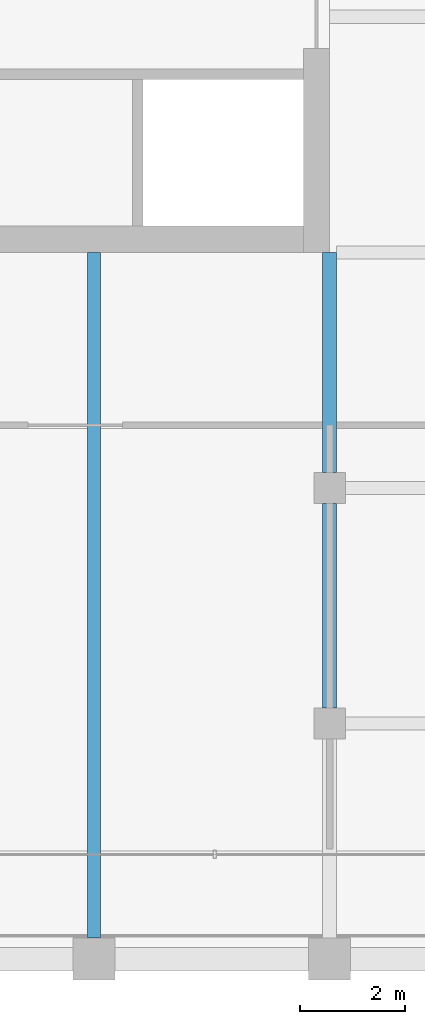
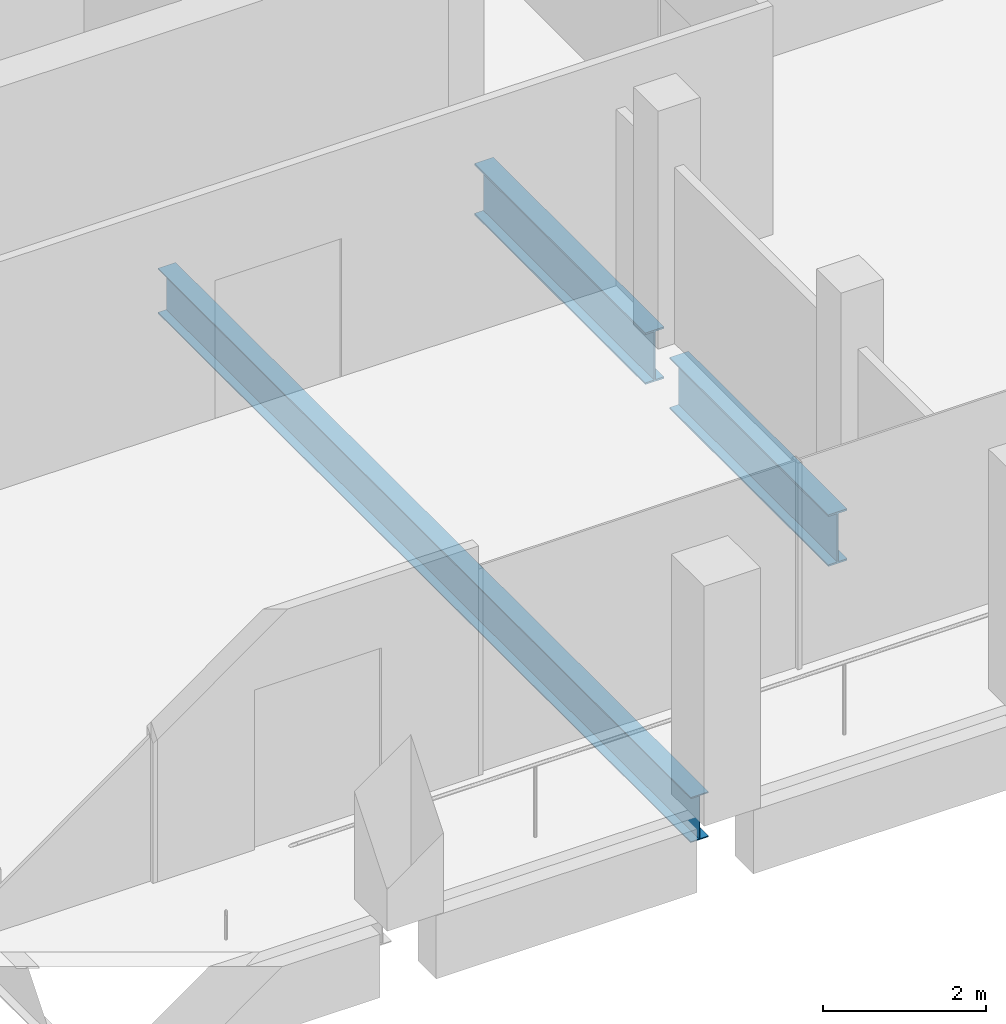
# One storey, part 10 of 30: 3 beams.
"""IFC4 building model written with IfcOpenShell, lengths in metres."""

import ifcopenshell
import ifcopenshell.guid

model = None  # the IFC model being written
_history = None  # IfcOwnerHistory: only IFC2X3 demands one
_inside = {}  # id of a spatial element -> (the spatial element, [elements in it])
_under = {}  # id of a project, library or spatial element -> (it, [spatial elements below it])
_declared = {}  # id of a project -> (the project, [libraries it declares])
_typed = {}  # id of a type object -> (the type object, [elements of that type])
_made_of = {}  # id of a material, layer set ... -> (it, [elements and type objects made of it])


def new_model(schema):
    """Start an empty IFC model of exactly this schema.

    Asked for "IFC4X3", IfcOpenShell would pick the latest addendum, in which some entities
    have other attributes; the version numbers below select the first issue.
    IFC2X3 requires an IfcOwnerHistory on every rooted entity: one is made here for all.
    """
    global model, _history
    if schema == "IFC4X3":
        model = ifcopenshell.file(schema_version=(4, 3, 0, 0))
    else:
        model = ifcopenshell.file(schema=schema)
    _inside.clear()
    _under.clear()
    _declared.clear()
    _typed.clear()
    _made_of.clear()
    _history = None
    if model.schema == "IFC2X3":
        org = make("IfcOrganization", Name="unknown")
        user = make(
            "IfcPersonAndOrganization",
            ThePerson=make("IfcPerson", FamilyName="unknown"),
            TheOrganization=org,
        )
        app = make(
            "IfcApplication",
            ApplicationDeveloper=org,
            Version="unknown",
            ApplicationFullName="unknown",
            ApplicationIdentifier="unknown",
        )
        _history = make(
            "IfcOwnerHistory",
            OwningUser=user,
            OwningApplication=app,
            ChangeAction="ADDED",
            CreationDate=0,
        )
    return model


def make(cls, **values):
    """One entity of the class cls with the attributes given. An attribute that is None is left unset."""
    return model.create_entity(
        cls, **{name: value for name, value in values.items() if value is not None}
    )


def rooted(cls, **values):
    """An entity with a GlobalId (a new one), such as an element, a storey or a relation."""
    return make(cls, GlobalId=ifcopenshell.guid.new(), OwnerHistory=_history, **values)


def si_unit(unit_type, name, prefix=None):
    """IfcSIUnit, for example si_unit("LENGTHUNIT", "METRE", prefix="MILLI")."""
    return make("IfcSIUnit", UnitType=unit_type, Prefix=prefix, Name=name)


def assignment(units):
    """IfcUnitAssignment: the units of a project."""
    return None if units is None else make("IfcUnitAssignment", Units=units)


def point(xyz):
    """IfcCartesianPoint."""
    return None if xyz is None else make("IfcCartesianPoint", Coordinates=xyz)


def direction(xyz):
    """IfcDirection."""
    return None if xyz is None else make("IfcDirection", DirectionRatios=xyz)


def frame(location, z_axis=None, x_axis=None):
    """IfcAxis2Placement3D, a coordinate frame: its origin and axes. An axis left out is left unset."""
    return make(
        "IfcAxis2Placement3D",
        Location=point(location),
        Axis=direction(z_axis),
        RefDirection=direction(x_axis),
    )


def frame_2d(location, x_axis=None):
    """IfcAxis2Placement2D, a coordinate frame in the plane: its origin and x axis."""
    return make(
        "IfcAxis2Placement2D", Location=point(location), RefDirection=direction(x_axis)
    )


def origin():
    """The frame at (0, 0, 0) with its axes left unset."""
    return frame((0.0, 0.0, 0.0))


def origin_2d():
    """The frame at (0, 0) in the plane with its x axis left unset."""
    return frame_2d((0.0, 0.0))


def place(relative_to, where):
    """IfcLocalPlacement: puts the frame where relative to a parent placement (None: the world)."""
    return make(
        "IfcLocalPlacement", PlacementRelTo=relative_to, RelativePlacement=where
    )


def context(
    kind, dimensions, precision=None, world=None, true_north=None, identifier=None
):
    """IfcGeometricRepresentationContext, for example the 3D "Model" context."""
    return make(
        "IfcGeometricRepresentationContext",
        ContextIdentifier=identifier,
        ContextType=kind,
        CoordinateSpaceDimension=dimensions,
        Precision=precision,
        WorldCoordinateSystem=world,
        TrueNorth=true_north,
    )


def subcontext(parent, identifier, kind, view, scale=None):
    """IfcGeometricRepresentationSubContext, for example "Body" below "Model"."""
    return make(
        "IfcGeometricRepresentationSubContext",
        ContextIdentifier=identifier,
        ContextType=kind,
        ParentContext=parent,
        TargetScale=scale,
        TargetView=view,
    )


def project(units=None, contexts=None):
    """IfcProject with its units and contexts."""
    return rooted(
        "IfcProject",
        Name="project",
        RepresentationContexts=contexts,
        UnitsInContext=assignment(units),
    )


def spatial(cls, under=None, at=None, **own):
    """A site, building, storey or space (cls), placed at a placement, below another one or the project."""
    s = rooted(cls, ObjectPlacement=at, **own)
    if under is not None:
        _under.setdefault(under.id(), (under, []))[1].append(s)
    return s


def profile(cls, at=None, kind="AREA", **sizes):
    """A parametric profile (cls). Its sizes go by their IFC names, for example OverallWidth=200.0."""
    return make(cls, ProfileType=kind, Position=at, **sizes)


def i_section(**sizes):
    """IfcIShapeProfileDef."""
    return profile("IfcIShapeProfileDef", **sizes)


def extrude(swept, where, along, depth):
    """IfcExtrudedAreaSolid: the profile swept, set in the frame where, extruded along a direction by depth."""
    return make(
        "IfcExtrudedAreaSolid",
        SweptArea=swept,
        Position=where,
        ExtrudedDirection=direction(along),
        Depth=depth,
    )


def shape(context_of_items, identifier, shape_type, items):
    """IfcShapeRepresentation: the items that make up one representation, for example the "Body"."""
    return make(
        "IfcShapeRepresentation",
        ContextOfItems=context_of_items,
        RepresentationIdentifier=identifier,
        RepresentationType=shape_type,
        Items=items,
    )


def material(Name=None, Category=None):
    """IfcMaterial."""
    return make("IfcMaterial", Name=Name, Category=Category)


def material_profile(
    of_material, cross_section, Name=None, Category=None, Priority=None
):
    """IfcMaterialProfile: a cross section and its material."""
    return make(
        "IfcMaterialProfile",
        Name=Name,
        Material=of_material,
        Profile=cross_section,
        Priority=Priority,
        Category=Category,
    )


def profile_set(profiles, Name=None, composite=None):
    """IfcMaterialProfileSet."""
    return make(
        "IfcMaterialProfileSet",
        Name=Name,
        MaterialProfiles=profiles,
        CompositeProfile=composite,
    )


def made_of(thing, what):
    """Note that an element or type object is made of a material, layer set ...; save() writes the relation."""
    if what is not None:
        _made_of.setdefault(what.id(), (what, []))[1].append(thing)
    return thing


def type_object(cls, material=None, **own):
    """A type object (cls), such as IfcWallType, which elements share."""
    return made_of(rooted(cls, **own), material)


def element(
    cls,
    number,
    at=None,
    inside=None,
    cuts=None,
    type_object=None,
    material=None,
    context=None,
    identifier="Body",
    shape_type=None,
    held_by="IfcProductDefinitionShape",
    body=None,
    shapes=None,
    **own,
):
    """One element of the class cls, such as IfcWall. Its Tag is "e" and its number.

    at: its placement. inside: the storey or other place that contains it. cuts: it is an
    opening in that element (IfcRelVoidsElement). A single representation is given by context,
    identifier, shape_type and body (its items); several are given by shapes. held_by: the class
    of the entity that holds the representations. save() writes the other relations.
    """
    e = rooted(cls, Tag="e%d" % number, ObjectPlacement=at, **own)
    if body is not None:
        shapes = [shape(context, identifier, shape_type, body)]
    if shapes is not None:
        e.Representation = make(held_by, Representations=shapes)
    if inside is not None:
        _inside.setdefault(inside.id(), (inside, []))[1].append(e)
    if cuts is not None:
        rooted(
            "IfcRelVoidsElement", RelatingBuildingElement=cuts, RelatedOpeningElement=e
        )
    if type_object is not None:
        _typed.setdefault(type_object.id(), (type_object, []))[1].append(e)
    return made_of(e, material)


def aggregate(whole, parts):
    """IfcRelAggregates: a whole, such as a stair, and the parts it consists of."""
    return rooted("IfcRelAggregates", RelatingObject=whole, RelatedObjects=parts)


def save(model, path):
    """Write the relations noted so far, then the file.

    IfcRelAggregates (storeys below a building ...), IfcRelContainedInSpatialStructure (elements
    in a storey), IfcRelDefinesByType, IfcRelAssociatesMaterial and IfcRelDeclares: one each for
    every whole, place, type object, material and project.
    """
    for whole, parts in _under.values():
        aggregate(whole, parts)
    for where, things in _inside.values():
        rooted(
            "IfcRelContainedInSpatialStructure",
            RelatedElements=things,
            RelatingStructure=where,
        )
    for kind, things in _typed.values():
        rooted("IfcRelDefinesByType", RelatedObjects=things, RelatingType=kind)
    for what, things in _made_of.values():
        rooted("IfcRelAssociatesMaterial", RelatedObjects=things, RelatingMaterial=what)
    for by, libraries in _declared.values():
        rooted("IfcRelDeclares", RelatingContext=by, RelatedDefinitions=libraries)
    model.write(path)


model = new_model("IFC4")

# Units and contexts
model_context = context("Model", 3, precision=1e-05, world=origin(), true_north=direction((0.0, 1.0)))
body_context = subcontext(model_context, "Body", "Model", "MODEL_VIEW")
ifc_project = project(units=[si_unit("LENGTHUNIT", "METRE"), si_unit("AREAUNIT", "SQUARE_METRE"), si_unit("VOLUMEUNIT", "CUBIC_METRE"), si_unit("PLANEANGLEUNIT", "RADIAN"), si_unit("MASSUNIT", "GRAM", prefix="KILO")], contexts=[model_context])

# Site, building, storey
site_placement = place(None, origin())
site = spatial("IfcSite", under=ifc_project, at=site_placement, CompositionType="ELEMENT")
building_placement = place(site_placement, origin())
building = spatial("IfcBuilding", under=site, at=building_placement, Name="Altepetl Exchange Towers", CompositionType="ELEMENT")
storey_placement = place(building_placement, frame((0.0, 0.0, 235.199951171875)))
storey = spatial("IfcBuildingStorey", under=building, at=storey_placement, Name="L60", CompositionType="ELEMENT", Elevation=235.199951171875)

# Beams
ifc_material = material(Name="Steel S355", Category="steel")
ifc_material_profile_1 = material_profile(ifc_material, i_section(OverallWidth=0.2529296875, OverallDepth=0.677978515625, WebThickness=0.01171875, FlangeThickness=0.016357421875, at=origin_2d()), Name="W27X84")
ifc_profile_set_1 = profile_set([ifc_material_profile_1], Name="Steel S355")
beam_type_1 = type_object("IfcBeamType", Name="Floor beam W27X84", PredefinedType="BEAM", material=ifc_profile_set_1)
beam_1_placement = place(storey_placement, frame((54.0, 27.39990234375, -0.489013671875), z_axis=(0.0, 1.0, 0.0), x_axis=(-1.0, 0.0, 0.0)))
element("IfcBeam", 1, at=beam_1_placement, inside=storey, type_object=beam_type_1, Name="bm:A:L60:017", PredefinedType="BEAM", context=body_context, shape_type="SweptSolid", body=[
    extrude(i_section(OverallWidth=0.2529296875, OverallDepth=0.677978515625, WebThickness=0.01171875, FlangeThickness=0.016357421875, at=origin_2d()), origin(), (0.0, 0.0, 1.0), 13.10009765625),
])
ifc_material_profile_2 = material_profile(ifc_material, i_section(OverallWidth=0.26806640625, OverallDepth=0.77392578125, WebThickness=0.015380859375, FlangeThickness=0.025390625, at=origin_2d()), Name="W30X132")
ifc_profile_set_2 = profile_set([ifc_material_profile_2], Name="Steel S355")
beam_type_2 = type_object("IfcBeamType", Name="Girder W30X132", PredefinedType="BEAM", material=ifc_profile_set_2)
beam_2_placement = place(storey_placement, frame((58.5, 40.5, -0.536865234375), z_axis=(0.0, -1.0, 0.0), x_axis=(1.0, 0.0, 0.0)))
element("IfcBeam", 2, at=beam_2_placement, inside=storey, type_object=beam_type_2, Name="gd:A:L60:003", PredefinedType="BEAM", context=body_context, shape_type="SweptSolid", body=[
    extrude(i_section(OverallWidth=0.26806640625, OverallDepth=0.77392578125, WebThickness=0.015380859375, FlangeThickness=0.025390625, at=origin_2d()), origin(), (0.0, 0.0, 1.0), 4.199951171875),
])
beam_3_placement = place(storey_placement, frame((58.5, 35.699951171875, -0.536865234375), z_axis=(0.0, -1.0, 0.0), x_axis=(1.0, 0.0, 0.0)))
element("IfcBeam", 3, at=beam_3_placement, inside=storey, type_object=beam_type_2, Name="gd:A:L60:004", PredefinedType="BEAM", context=body_context, shape_type="SweptSolid", body=[
    extrude(i_section(OverallWidth=0.26806640625, OverallDepth=0.77392578125, WebThickness=0.015380859375, FlangeThickness=0.025390625, at=origin_2d()), origin(), (0.0, 0.0, 1.0), 3.89990234375),
])

save(model, "model.ifc")
